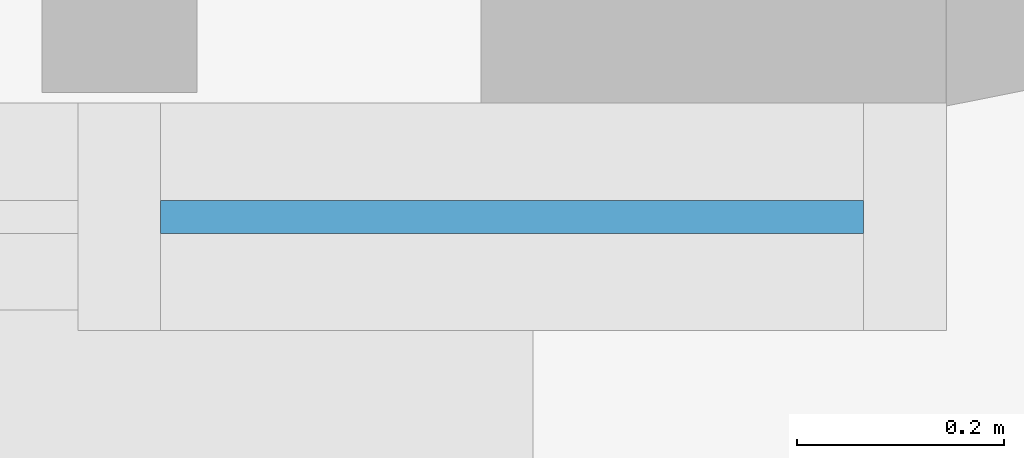
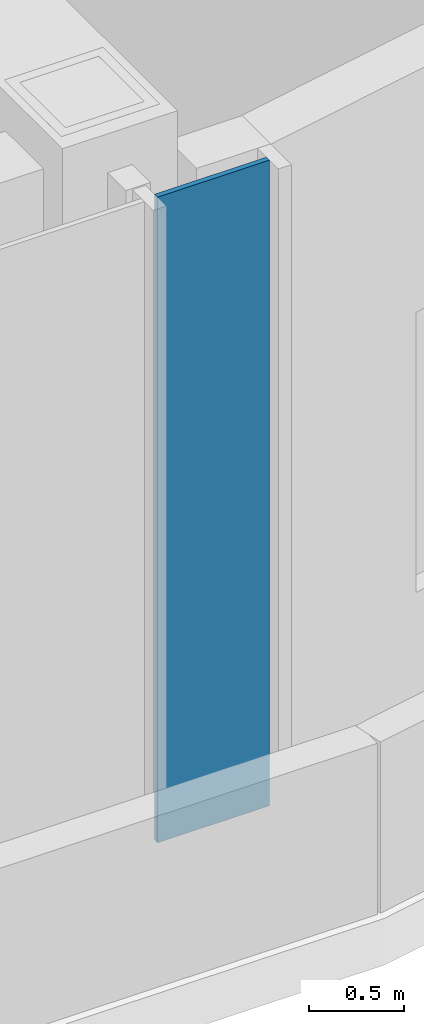
# One storey, part 9 of 35: 1 plate, 1 element without a shape of its own.
"""IFC4 building model written with IfcOpenShell, lengths in metres."""

import ifcopenshell
import ifcopenshell.guid

model = None  # the IFC model being written
_history = None  # IfcOwnerHistory: only IFC2X3 demands one
_inside = {}  # id of a spatial element -> (the spatial element, [elements in it])
_under = {}  # id of a project, library or spatial element -> (it, [spatial elements below it])
_declared = {}  # id of a project -> (the project, [libraries it declares])
_typed = {}  # id of a type object -> (the type object, [elements of that type])
_made_of = {}  # id of a material, layer set ... -> (it, [elements and type objects made of it])


def new_model(schema):
    """Start an empty IFC model of exactly this schema.

    Asked for "IFC4X3", IfcOpenShell would pick the latest addendum, in which some entities
    have other attributes; the version numbers below select the first issue.
    IFC2X3 requires an IfcOwnerHistory on every rooted entity: one is made here for all.
    """
    global model, _history
    if schema == "IFC4X3":
        model = ifcopenshell.file(schema_version=(4, 3, 0, 0))
    else:
        model = ifcopenshell.file(schema=schema)
    _inside.clear()
    _under.clear()
    _declared.clear()
    _typed.clear()
    _made_of.clear()
    _history = None
    if model.schema == "IFC2X3":
        org = make("IfcOrganization", Name="unknown")
        user = make(
            "IfcPersonAndOrganization",
            ThePerson=make("IfcPerson", FamilyName="unknown"),
            TheOrganization=org,
        )
        app = make(
            "IfcApplication",
            ApplicationDeveloper=org,
            Version="unknown",
            ApplicationFullName="unknown",
            ApplicationIdentifier="unknown",
        )
        _history = make(
            "IfcOwnerHistory",
            OwningUser=user,
            OwningApplication=app,
            ChangeAction="ADDED",
            CreationDate=0,
        )
    return model


def make(cls, **values):
    """One entity of the class cls with the attributes given. An attribute that is None is left unset."""
    return model.create_entity(
        cls, **{name: value for name, value in values.items() if value is not None}
    )


def rooted(cls, **values):
    """An entity with a GlobalId (a new one), such as an element, a storey or a relation."""
    return make(cls, GlobalId=ifcopenshell.guid.new(), OwnerHistory=_history, **values)


def si_unit(unit_type, name, prefix=None):
    """IfcSIUnit, for example si_unit("LENGTHUNIT", "METRE", prefix="MILLI")."""
    return make("IfcSIUnit", UnitType=unit_type, Prefix=prefix, Name=name)


def assignment(units):
    """IfcUnitAssignment: the units of a project."""
    return None if units is None else make("IfcUnitAssignment", Units=units)


def point(xyz):
    """IfcCartesianPoint."""
    return None if xyz is None else make("IfcCartesianPoint", Coordinates=xyz)


def direction(xyz):
    """IfcDirection."""
    return None if xyz is None else make("IfcDirection", DirectionRatios=xyz)


def frame(location, z_axis=None, x_axis=None):
    """IfcAxis2Placement3D, a coordinate frame: its origin and axes. An axis left out is left unset."""
    return make(
        "IfcAxis2Placement3D",
        Location=point(location),
        Axis=direction(z_axis),
        RefDirection=direction(x_axis),
    )


def frame_2d(location, x_axis=None):
    """IfcAxis2Placement2D, a coordinate frame in the plane: its origin and x axis."""
    return make(
        "IfcAxis2Placement2D", Location=point(location), RefDirection=direction(x_axis)
    )


def origin():
    """The frame at (0, 0, 0) with its axes left unset."""
    return frame((0.0, 0.0, 0.0))


def origin_2d():
    """The frame at (0, 0) in the plane with its x axis left unset."""
    return frame_2d((0.0, 0.0))


def place(relative_to, where):
    """IfcLocalPlacement: puts the frame where relative to a parent placement (None: the world)."""
    return make(
        "IfcLocalPlacement", PlacementRelTo=relative_to, RelativePlacement=where
    )


def context(
    kind, dimensions, precision=None, world=None, true_north=None, identifier=None
):
    """IfcGeometricRepresentationContext, for example the 3D "Model" context."""
    return make(
        "IfcGeometricRepresentationContext",
        ContextIdentifier=identifier,
        ContextType=kind,
        CoordinateSpaceDimension=dimensions,
        Precision=precision,
        WorldCoordinateSystem=world,
        TrueNorth=true_north,
    )


def subcontext(parent, identifier, kind, view, scale=None):
    """IfcGeometricRepresentationSubContext, for example "Body" below "Model"."""
    return make(
        "IfcGeometricRepresentationSubContext",
        ContextIdentifier=identifier,
        ContextType=kind,
        ParentContext=parent,
        TargetScale=scale,
        TargetView=view,
    )


def project(units=None, contexts=None):
    """IfcProject with its units and contexts."""
    return rooted(
        "IfcProject",
        Name="project",
        RepresentationContexts=contexts,
        UnitsInContext=assignment(units),
    )


def spatial(cls, under=None, at=None, **own):
    """A site, building, storey or space (cls), placed at a placement, below another one or the project."""
    s = rooted(cls, ObjectPlacement=at, **own)
    if under is not None:
        _under.setdefault(under.id(), (under, []))[1].append(s)
    return s


def profile(cls, at=None, kind="AREA", **sizes):
    """A parametric profile (cls). Its sizes go by their IFC names, for example OverallWidth=200.0."""
    return make(cls, ProfileType=kind, Position=at, **sizes)


def rectangle(**sizes):
    """IfcRectangleProfileDef."""
    return profile("IfcRectangleProfileDef", **sizes)


def extrude(swept, where, along, depth):
    """IfcExtrudedAreaSolid: the profile swept, set in the frame where, extruded along a direction by depth."""
    return make(
        "IfcExtrudedAreaSolid",
        SweptArea=swept,
        Position=where,
        ExtrudedDirection=direction(along),
        Depth=depth,
    )


def shape(context_of_items, identifier, shape_type, items):
    """IfcShapeRepresentation: the items that make up one representation, for example the "Body"."""
    return make(
        "IfcShapeRepresentation",
        ContextOfItems=context_of_items,
        RepresentationIdentifier=identifier,
        RepresentationType=shape_type,
        Items=items,
    )


def material(Name=None, Category=None):
    """IfcMaterial."""
    return make("IfcMaterial", Name=Name, Category=Category)


def layer(
    of_material, thickness, ventilated=None, Name=None, Category=None, Priority=None
):
    """IfcMaterialLayer: one layer of a wall or slab, of a material (None: an air gap)."""
    return make(
        "IfcMaterialLayer",
        Material=of_material,
        LayerThickness=thickness,
        IsVentilated=ventilated,
        Name=Name,
        Category=Category,
        Priority=Priority,
    )


def layer_set(layers, Name=None):
    """IfcMaterialLayerSet."""
    return make("IfcMaterialLayerSet", MaterialLayers=layers, LayerSetName=Name)


def made_of(thing, what):
    """Note that an element or type object is made of a material, layer set ...; save() writes the relation."""
    if what is not None:
        _made_of.setdefault(what.id(), (what, []))[1].append(thing)
    return thing


def type_object(cls, material=None, **own):
    """A type object (cls), such as IfcWallType, which elements share."""
    return made_of(rooted(cls, **own), material)


def element(
    cls,
    number,
    at=None,
    inside=None,
    cuts=None,
    type_object=None,
    material=None,
    context=None,
    identifier="Body",
    shape_type=None,
    held_by="IfcProductDefinitionShape",
    body=None,
    shapes=None,
    **own,
):
    """One element of the class cls, such as IfcWall. Its Tag is "e" and its number.

    at: its placement. inside: the storey or other place that contains it. cuts: it is an
    opening in that element (IfcRelVoidsElement). A single representation is given by context,
    identifier, shape_type and body (its items); several are given by shapes. held_by: the class
    of the entity that holds the representations. save() writes the other relations.
    """
    e = rooted(cls, Tag="e%d" % number, ObjectPlacement=at, **own)
    if body is not None:
        shapes = [shape(context, identifier, shape_type, body)]
    if shapes is not None:
        e.Representation = make(held_by, Representations=shapes)
    if inside is not None:
        _inside.setdefault(inside.id(), (inside, []))[1].append(e)
    if cuts is not None:
        rooted(
            "IfcRelVoidsElement", RelatingBuildingElement=cuts, RelatedOpeningElement=e
        )
    if type_object is not None:
        _typed.setdefault(type_object.id(), (type_object, []))[1].append(e)
    return made_of(e, material)


def aggregate(whole, parts):
    """IfcRelAggregates: a whole, such as a stair, and the parts it consists of."""
    return rooted("IfcRelAggregates", RelatingObject=whole, RelatedObjects=parts)


def save(model, path):
    """Write the relations noted so far, then the file.

    IfcRelAggregates (storeys below a building ...), IfcRelContainedInSpatialStructure (elements
    in a storey), IfcRelDefinesByType, IfcRelAssociatesMaterial and IfcRelDeclares: one each for
    every whole, place, type object, material and project.
    """
    for whole, parts in _under.values():
        aggregate(whole, parts)
    for where, things in _inside.values():
        rooted(
            "IfcRelContainedInSpatialStructure",
            RelatedElements=things,
            RelatingStructure=where,
        )
    for kind, things in _typed.values():
        rooted("IfcRelDefinesByType", RelatedObjects=things, RelatingType=kind)
    for what, things in _made_of.values():
        rooted("IfcRelAssociatesMaterial", RelatedObjects=things, RelatingMaterial=what)
    for by, libraries in _declared.values():
        rooted("IfcRelDeclares", RelatingContext=by, RelatedDefinitions=libraries)
    model.write(path)


model = new_model("IFC4")

# Units and contexts
model_context = context("Model", 3, precision=1e-05, world=origin(), true_north=direction((0.0, 1.0)))
body_context = subcontext(model_context, "Body", "Model", "MODEL_VIEW")
ifc_project = project(units=[si_unit("LENGTHUNIT", "METRE"), si_unit("AREAUNIT", "SQUARE_METRE"), si_unit("VOLUMEUNIT", "CUBIC_METRE"), si_unit("PLANEANGLEUNIT", "RADIAN"), si_unit("MASSUNIT", "GRAM", prefix="KILO")], contexts=[model_context])

# Site, building, storey
site_placement = place(None, origin())
site = spatial("IfcSite", under=ifc_project, at=site_placement, CompositionType="ELEMENT")
building_placement = place(site_placement, origin())
building = spatial("IfcBuilding", under=site, at=building_placement, Name="Orbita Commons", CompositionType="ELEMENT")
storey_placement = place(building_placement, frame((0.0, 0.0, 208.300048828125)))
storey = spatial("IfcBuildingStorey", under=building, at=storey_placement, Name="L51", CompositionType="ELEMENT", Elevation=208.300048828125)

# Curtain wall, plate
ifc_material_1 = material(Name="Anodised aluminium frame, pale silver", Category="aluminium")
curtain_wall_type = type_object("IfcCurtainWallType", Name="Unitised curtain wall CW-S, full-height", PredefinedType="NOTDEFINED", material=ifc_material_1)
curtain_wall_placement = place(storey_placement, origin())
curtain_wall = element("IfcCurtainWall", 1, at=curtain_wall_placement, inside=storey, type_object=curtain_wall_type, Name="Curtain wall south L51", PredefinedType="NOTDEFINED")
ifc_material_2 = material(Name="Low-iron glass", Category="glass")
ifc_layer = layer(ifc_material_2, 0.031982421875)
ifc_layer_set = layer_set([ifc_layer], Name="Low-iron glass")
plate_type = type_object("IfcPlateType", Name="Vision panel, clear low-iron glazing 32", PredefinedType="CURTAIN_PANEL", material=ifc_layer_set)
plate_placement = place(storey_placement, frame((66.3798828125, 10.889892578125, 0.10009765625), z_axis=(0.0, 0.0, 1.0), x_axis=(1.0, 0.0, 0.0)))
plate = element("IfcPlate", 2, at=plate_placement, type_object=plate_type, Name="Panel 18.1 CW-L51-S", PredefinedType="CURTAIN_PANEL", context=body_context, shape_type="SweptSolid", body=[
    extrude(rectangle(XDim=0.679931640625, YDim=0.031982421875, at=origin_2d()), origin(), (0.0, 0.0, 1.0), 4.14990234375),
])
aggregate(curtain_wall, [plate])

save(model, "model.ifc")
